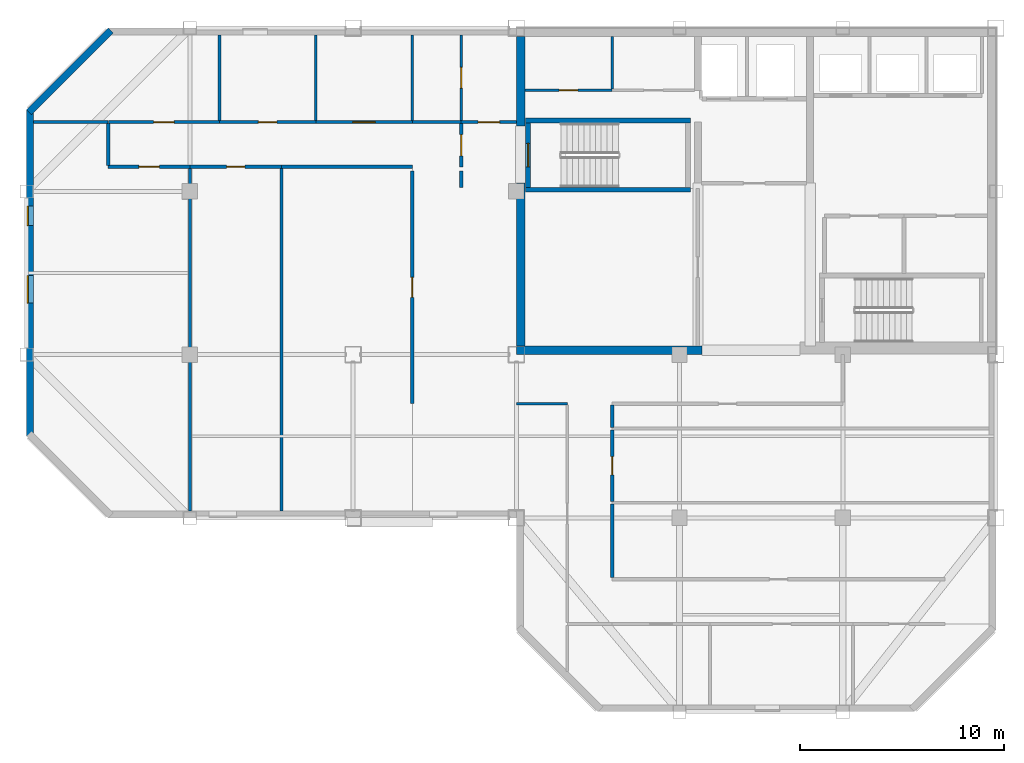
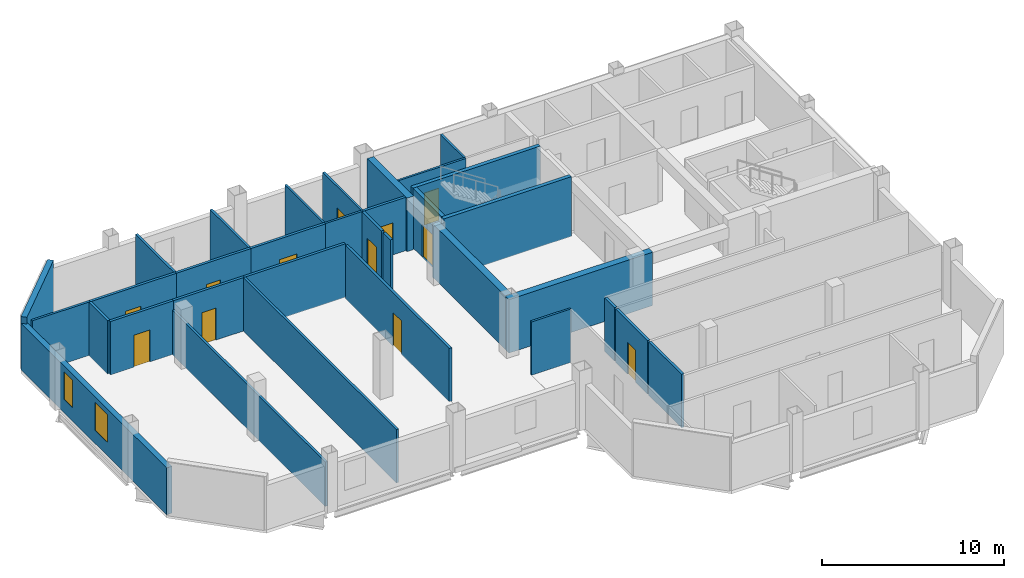
# One storey, part 2 of 7: 33 walls, 12 doors, 2 windows, 14 openings.
"""IFC4 building model written with IfcOpenShell, lengths in metres."""

from ifc_helpers import new_model, si_unit, direction, frame, frame_2d, origin, place, context, subcontext, project, spatial, rectangle, extrude, material, layer, layer_set, type_object, element, fill, save


model = new_model("IFC4")

# Units and contexts
model_context = context("Model", 3, precision=1e-05, world=origin(), true_north=direction((0.0, 1.0)))
body_context = subcontext(model_context, "Body", "Model", "MODEL_VIEW")
ifc_project = project(units=[si_unit("LENGTHUNIT", "METRE"), si_unit("AREAUNIT", "SQUARE_METRE"), si_unit("VOLUMEUNIT", "CUBIC_METRE"), si_unit("PLANEANGLEUNIT", "RADIAN"), si_unit("MASSUNIT", "GRAM", prefix="KILO")], contexts=[model_context])

# Site, building, storey
site_placement = place(None, origin())
site = spatial("IfcSite", under=ifc_project, at=site_placement, CompositionType="ELEMENT")
building_placement = place(site_placement, origin())
building = spatial("IfcBuilding", under=site, at=building_placement, Name="Qianrong Seaharbour Tower", CompositionType="ELEMENT")
storey_placement = place(building_placement, frame((0.0, 0.0, 363.199951171875)))
storey = spatial("IfcBuildingStorey", under=building, at=storey_placement, Name="L88", CompositionType="ELEMENT", Elevation=363.199951171875)

# Walls
ifc_material_1 = material(Name="Concrete C50/60", Category="concrete")
ifc_layer_1 = layer(ifc_material_1, 0.419921875)
ifc_layer_set_1 = layer_set([ifc_layer_1], Name="Concrete C50/60")
wall_type_1 = type_object("IfcWallType", Name="WALL-CORE-420", PredefinedType="SHEAR", material=ifc_layer_set_1)
wall_1_placement = place(storey_placement, frame((40.7099609375, 36.419921875, 0.0), z_axis=(0.0, 0.0, 1.0), x_axis=(0.0, 1.0, 0.0)))
element("IfcWall", 1, at=wall_1_placement, inside=storey, type_object=wall_type_1, Name="L88 West Core Shear Wall South", PredefinedType="SHEAR", context=body_context, shape_type="SweptSolid", body=[
    extrude(rectangle(XDim=7.97998046875, YDim=0.419921875, at=frame_2d((3.989990234375, 0.0))), origin(), (0.0, 0.0, 1.0), 3.580078125),
])
wall_2_placement = place(storey_placement, frame((40.7099609375, 47.199951171875, 0.0), z_axis=(0.0, 0.0, 1.0), x_axis=(0.0, 1.0, 0.0)))
element("IfcWall", 2, at=wall_2_placement, inside=storey, type_object=wall_type_1, Name="L88 West Core Shear Wall North", PredefinedType="SHEAR", context=body_context, shape_type="SweptSolid", body=[
    extrude(rectangle(XDim=4.380126953125, YDim=0.419921875, at=frame_2d((2.18994140625, 0.0))), origin(), (0.0, 0.0, 1.0), 3.580078125),
])
wall_3_placement = place(storey_placement, frame((40.5, 36.2099609375, 0.0), z_axis=(0.0, 0.0, 1.0), x_axis=(1.0, 0.0, 0.0)))
element("IfcWall", 3, at=wall_3_placement, inside=storey, type_object=wall_type_1, Name="L88 South Core Shear Wall S1", PredefinedType="SHEAR", context=body_context, shape_type="SweptSolid", body=[
    extrude(rectangle(XDim=9.10009765625, YDim=0.419921875, at=frame_2d((4.550048828125, 0.0))), origin(), (0.0, 0.0, 1.0), 3.580078125),
])

# Wall, opening, door
ifc_material_2 = material(Name="Fire-rated acoustic gypsum board partition")
ifc_layer_2 = layer(ifc_material_2, 0.1650390625)
ifc_layer_set_2 = layer_set([ifc_layer_2], Name="Fire-rated acoustic gypsum board partition")
wall_type_2 = type_object("IfcWallType", Name="WALL-CORR-PART-165", PredefinedType="PARTITIONING", material=ifc_layer_set_2)
wall_4_placement = place(storey_placement, frame((37.800048828125, 47.39990234375, 0.0), z_axis=(0.0, 0.0, 1.0), x_axis=(1.0, 0.0, 0.0)))
wall_4 = element("IfcWall", 4, at=wall_4_placement, inside=storey, type_object=wall_type_2, Name="L88 Interior Partition Wall 001", PredefinedType="PARTITIONING", context=body_context, shape_type="SweptSolid", body=[
    extrude(rectangle(XDim=2.699951171875, YDim=0.1650390625, at=frame_2d((1.35009765625, 0.0))), origin(), (0.0, 0.0, 1.0), 3.580078125),
])
opening_1_placement = place(wall_4_placement, frame((0.824951171875, 0.0, 0.0)))
opening_1 = element("IfcOpeningElement", 5, at=opening_1_placement, cuts=wall_4, Name="Opening DC-01", PredefinedType="OPENING", context=body_context, shape_type="SweptSolid", body=[
    extrude(rectangle(XDim=1.050048828125, YDim=2.14990234375, at=frame_2d((0.52490234375, 1.074951171875))), frame((0.0, 0.092529296875, 0.0), z_axis=(0.0, -1.0, 0.0), x_axis=(1.0, 0.0, 0.0)), (0.0, 0.0, 1.0), 0.18505859375),
])
ifc_material_3 = material(Name="Acoustic timber and galvanized steel fire door assembly", Category="steel")
door_type_1 = type_object("IfcDoorType", Name="DOOR-CORR-FD60-1050x2150", OperationType="NOTDEFINED", PredefinedType="DOOR", material=ifc_material_3)
door_1_placement = place(opening_1_placement, origin())
door_1 = element("IfcDoor", 6, at=door_1_placement, inside=storey, type_object=door_type_1, Name="L88 Smokeproof Stair Vestibule ST-1 Door", OperationType="SINGLE_SWING_LEFT", OverallHeight=2.14990234375, OverallWidth=1.050048828125, PredefinedType="DOOR", context=body_context, shape_type="SweptSolid", body=[
    extrude(rectangle(XDim=1.050048828125, YDim=2.14990234375, at=frame_2d((0.52490234375, 1.074951171875))), frame((0.0, 0.02490234375, 0.0), z_axis=(0.0, -1.0, 0.0), x_axis=(1.0, 0.0, 0.0)), (0.0, 0.0, 1.0), 0.050048828125),
])
fill(opening_1, door_1)

wall_5_placement = place(storey_placement, frame((37.800048828125, 45.199951171875, 0.0), z_axis=(0.0, 0.0, 1.0), x_axis=(0.0, 1.0, 0.0)))
wall_5 = element("IfcWall", 7, at=wall_5_placement, inside=storey, type_object=wall_type_2, Name="L88 Interior Partition Wall 002", PredefinedType="PARTITIONING", context=body_context, shape_type="SweptSolid", body=[
    extrude(rectangle(XDim=2.12548828125, YDim=0.1650390625, at=frame_2d((1.062744140625, 0.0))), origin(), (0.0, 0.0, 1.0), 3.580078125),
])
opening_2_placement = place(wall_5_placement, frame((0.537841796875, 0.0, 0.0)))
opening_2 = element("IfcOpeningElement", 8, at=opening_2_placement, cuts=wall_5, Name="Opening DC-01", PredefinedType="OPENING", context=body_context, shape_type="SweptSolid", body=[
    extrude(rectangle(XDim=1.050048828125, YDim=2.14990234375, at=frame_2d((0.52490234375, 1.074951171875))), frame((0.0, 0.092529296875, 0.0), z_axis=(0.0, -1.0, 0.0), x_axis=(1.0, 0.0, 0.0)), (0.0, 0.0, 1.0), 0.18505859375),
])
door_2_placement = place(opening_2_placement, origin())
door_2 = element("IfcDoor", 9, at=door_2_placement, inside=storey, type_object=door_type_1, Name="L88 Smokeproof Stair Vestibule ST-1 Door", OperationType="SINGLE_SWING_RIGHT", OverallHeight=2.14990234375, OverallWidth=1.050048828125, PredefinedType="DOOR", context=body_context, shape_type="SweptSolid", body=[
    extrude(rectangle(XDim=1.050048828125, YDim=2.14990234375, at=frame_2d((0.52490234375, 1.074951171875))), frame((0.0, 0.02490234375, 0.0), z_axis=(0.0, -1.0, 0.0), x_axis=(1.0, 0.0, 0.0)), (0.0, 0.0, 1.0), 0.050048828125),
])
fill(opening_2, door_2)

# Wall
wall_6_placement = place(storey_placement, frame((37.800048828125, 44.199951171875, 0.0), z_axis=(0.0, 0.0, 1.0), x_axis=(0.0, 1.0, 0.0)))
element("IfcWall", 10, at=wall_6_placement, inside=storey, type_object=wall_type_2, Name="L88 Interior Partition Wall 003", PredefinedType="PARTITIONING", context=body_context, shape_type="SweptSolid", body=[
    extrude(rectangle(XDim=0.800048828125, YDim=0.1650390625, at=frame_2d((0.39990234375, 0.0))), origin(), (0.0, 0.0, 1.0), 3.580078125),
])

# Wall, opening, door
wall_7_placement = place(storey_placement, frame((20.5, 47.39990234375, 0.0), z_axis=(0.0, 0.0, 1.0), x_axis=(1.0, 0.0, 0.0)))
wall_7 = element("IfcWall", 11, at=wall_7_placement, inside=storey, type_object=wall_type_2, Name="L88 Interior Partition Wall 016", PredefinedType="PARTITIONING", context=body_context, shape_type="SweptSolid", body=[
    extrude(rectangle(XDim=5.449951171875, YDim=0.1650390625, at=frame_2d((2.72509765625, 0.0))), origin(), (0.0, 0.0, 1.0), 3.580078125),
])
opening_3_placement = place(wall_7_placement, frame((2.22509765625, 0.0, 0.0)))
opening_3 = element("IfcOpeningElement", 12, at=opening_3_placement, cuts=wall_7, Name="Opening DO-01", PredefinedType="OPENING", context=body_context, shape_type="SweptSolid", body=[
    extrude(rectangle(XDim=1.0, YDim=2.14990234375, at=frame_2d((0.5, 1.074951171875))), frame((0.0, 0.092529296875, 0.0), z_axis=(0.0, -1.0, 0.0), x_axis=(1.0, 0.0, 0.0)), (0.0, 0.0, 1.0), 0.18505859375),
])
door_type_2 = type_object("IfcDoorType", Name="DOOR-OFFICE-1000x2150", OperationType="NOTDEFINED", PredefinedType="DOOR", material=ifc_material_3)
door_3_placement = place(opening_3_placement, origin())
door_3 = element("IfcDoor", 13, at=door_3_placement, inside=storey, type_object=door_type_2, Name="L88 Legal Support Open-Plan Office Door", OperationType="SINGLE_SWING_LEFT", OverallHeight=2.14990234375, OverallWidth=1.0, PredefinedType="DOOR", context=body_context, shape_type="SweptSolid", body=[
    extrude(rectangle(XDim=1.0, YDim=2.14990234375, at=frame_2d((0.5, 1.074951171875))), frame((0.0, 0.02490234375, 0.0), z_axis=(0.0, -1.0, 0.0), x_axis=(1.0, 0.0, 0.0)), (0.0, 0.0, 1.0), 0.050048828125),
])
fill(opening_3, door_3)

wall_8_placement = place(storey_placement, frame((25.949951171875, 47.39990234375, 0.0), z_axis=(0.0, 0.0, 1.0), x_axis=(1.0, 0.0, 0.0)))
wall_8 = element("IfcWall", 14, at=wall_8_placement, inside=storey, type_object=wall_type_2, Name="L88 Interior Partition Wall 017", PredefinedType="PARTITIONING", context=body_context, shape_type="SweptSolid", body=[
    extrude(rectangle(XDim=4.719970703125, YDim=0.1650390625, at=frame_2d((2.35986328125, 0.0))), origin(), (0.0, 0.0, 1.0), 3.580078125),
])
opening_4_placement = place(wall_8_placement, frame((1.909912109375, 0.0, 0.0)))
opening_4 = element("IfcOpeningElement", 15, at=opening_4_placement, cuts=wall_8, Name="Opening DS-01", PredefinedType="OPENING", context=body_context, shape_type="SweptSolid", body=[
    extrude(rectangle(XDim=0.89990234375, YDim=2.14990234375, at=frame_2d((0.449951171875, 1.074951171875))), frame((0.0, 0.092529296875, 0.0), z_axis=(0.0, -1.0, 0.0), x_axis=(1.0, 0.0, 0.0)), (0.0, 0.0, 1.0), 0.18505859375),
])
door_type_3 = type_object("IfcDoorType", Name="DOOR-STORE-900x2150", OperationType="NOTDEFINED", PredefinedType="DOOR", material=ifc_material_3)
door_4_placement = place(opening_4_placement, origin())
door_4 = element("IfcDoor", 16, at=door_4_placement, inside=storey, type_object=door_type_3, Name="L88 Corporate Archive Room 1 Door", OperationType="SINGLE_SWING_RIGHT", OverallHeight=2.14990234375, OverallWidth=0.89990234375, PredefinedType="DOOR", context=body_context, shape_type="SweptSolid", body=[
    extrude(rectangle(XDim=0.89990234375, YDim=2.14990234375, at=frame_2d((0.449951171875, 1.074951171875))), frame((0.0, 0.02490234375, 0.0), z_axis=(0.0, -1.0, 0.0), x_axis=(1.0, 0.0, 0.0)), (0.0, 0.0, 1.0), 0.050048828125),
])
fill(opening_4, door_4)

wall_9_placement = place(storey_placement, frame((30.669921875, 47.39990234375, 0.0), z_axis=(0.0, 0.0, 1.0), x_axis=(1.0, 0.0, 0.0)))
wall_9 = element("IfcWall", 17, at=wall_9_placement, inside=storey, type_object=wall_type_2, Name="L88 Interior Partition Wall 018", PredefinedType="PARTITIONING", context=body_context, shape_type="SweptSolid", body=[
    extrude(rectangle(XDim=4.72998046875, YDim=0.1650390625, at=frame_2d((2.364990234375, 0.0))), origin(), (0.0, 0.0, 1.0), 3.580078125),
])
opening_5_placement = place(wall_9_placement, frame((1.81494140625, 0.0, 0.0)))
opening_5 = element("IfcOpeningElement", 18, at=opening_5_placement, cuts=wall_9, Name="Opening DM-01", PredefinedType="OPENING", context=body_context, shape_type="SweptSolid", body=[
    extrude(rectangle(XDim=1.10009765625, YDim=2.199951171875, at=frame_2d((0.550048828125, 1.10009765625))), frame((0.0, 0.092529296875, 0.0), z_axis=(0.0, -1.0, 0.0), x_axis=(1.0, 0.0, 0.0)), (0.0, 0.0, 1.0), 0.18505859375),
])
door_type_4 = type_object("IfcDoorType", Name="DOOR-MEET-1100x2200", OperationType="NOTDEFINED", PredefinedType="DOOR", material=ifc_material_3)
door_5_placement = place(opening_5_placement, origin())
door_5 = element("IfcDoor", 19, at=door_5_placement, inside=storey, type_object=door_type_4, Name="L88 Boardroom 2 Door", OperationType="SINGLE_SWING_LEFT", OverallHeight=2.199951171875, OverallWidth=1.10009765625, PredefinedType="DOOR", context=body_context, shape_type="SweptSolid", body=[
    extrude(rectangle(XDim=1.10009765625, YDim=2.199951171875, at=frame_2d((0.550048828125, 1.10009765625))), frame((0.0, 0.02490234375, 0.0), z_axis=(0.0, -1.0, 0.0), x_axis=(1.0, 0.0, 0.0)), (0.0, 0.0, 1.0), 0.050048828125),
])
fill(opening_5, door_5)

wall_10_placement = place(storey_placement, frame((24.5, 45.199951171875, 0.0), z_axis=(0.0, 0.0, 1.0), x_axis=(-1.0, 0.0, 0.0)))
wall_10 = element("IfcWall", 20, at=wall_10_placement, inside=storey, type_object=wall_type_2, Name="L88 Interior Partition Wall 019", PredefinedType="PARTITIONING", context=body_context, shape_type="SweptSolid", body=[
    extrude(rectangle(XDim=4.0, YDim=0.1650390625, at=frame_2d((2.0, 0.0))), origin(), (0.0, 0.0, 1.0), 3.580078125),
])
opening_6_placement = place(wall_10_placement, frame((1.5, 0.0, 0.0)))
opening_6 = element("IfcOpeningElement", 21, at=opening_6_placement, cuts=wall_10, Name="Opening DO-01", PredefinedType="OPENING", context=body_context, shape_type="SweptSolid", body=[
    extrude(rectangle(XDim=1.0, YDim=2.14990234375, at=frame_2d((0.5, 1.074951171875))), frame((0.0, 0.092529296875, 0.0), z_axis=(0.0, -1.0, 0.0), x_axis=(1.0, 0.0, 0.0)), (0.0, 0.0, 1.0), 0.18505859375),
])
door_6_placement = place(opening_6_placement, origin())
door_6 = element("IfcDoor", 22, at=door_6_placement, inside=storey, type_object=door_type_2, Name="L88 Maritime Tribunal Hearing Hall Door", OperationType="SINGLE_SWING_RIGHT", OverallHeight=2.14990234375, OverallWidth=1.0, PredefinedType="DOOR", context=body_context, shape_type="SweptSolid", body=[
    extrude(rectangle(XDim=1.0, YDim=2.14990234375, at=frame_2d((0.5, 1.074951171875))), frame((0.0, 0.02490234375, 0.0), z_axis=(0.0, -1.0, 0.0), x_axis=(1.0, 0.0, 0.0)), (0.0, 0.0, 1.0), 0.050048828125),
])
fill(opening_6, door_6)

# Wall
wall_11_placement = place(storey_placement, frame((20.5, 45.2744140625, 0.0), z_axis=(0.0, 0.0, 1.0), x_axis=(0.0, 1.0, 0.0)))
element("IfcWall", 23, at=wall_11_placement, inside=storey, type_object=wall_type_2, Name="L88 Interior Partition Wall 020", PredefinedType="PARTITIONING", context=body_context, shape_type="SweptSolid", body=[
    extrude(rectangle(XDim=2.051025390625, YDim=0.1650390625, at=frame_2d((1.025390625, 0.0))), origin(), (0.0, 0.0, 1.0), 3.580078125),
])

# Wall, opening, door
wall_12_placement = place(storey_placement, frame((29.0, 45.199951171875, 0.0), z_axis=(0.0, 0.0, 1.0), x_axis=(-1.0, 0.0, 0.0)))
wall_12 = element("IfcWall", 24, at=wall_12_placement, inside=storey, type_object=wall_type_2, Name="L88 Interior Partition Wall 021", PredefinedType="PARTITIONING", context=body_context, shape_type="SweptSolid", body=[
    extrude(rectangle(XDim=4.5, YDim=0.1650390625, at=frame_2d((2.25, 0.0))), origin(), (0.0, 0.0, 1.0), 3.580078125),
])
opening_7_placement = place(wall_12_placement, frame((1.800048828125, 0.0, 0.0)))
opening_7 = element("IfcOpeningElement", 25, at=opening_7_placement, cuts=wall_12, Name="Opening DS-01", PredefinedType="OPENING", context=body_context, shape_type="SweptSolid", body=[
    extrude(rectangle(XDim=0.89990234375, YDim=2.14990234375, at=frame_2d((0.449951171875, 1.074951171875))), frame((0.0, 0.092529296875, 0.0), z_axis=(0.0, -1.0, 0.0), x_axis=(1.0, 0.0, 0.0)), (0.0, 0.0, 1.0), 0.18505859375),
])
door_7_placement = place(opening_7_placement, origin())
door_7 = element("IfcDoor", 26, at=door_7_placement, inside=storey, type_object=door_type_3, Name="L88 Evidence Vault Store 1 Door", OperationType="SINGLE_SWING_LEFT", OverallHeight=2.14990234375, OverallWidth=0.89990234375, PredefinedType="DOOR", context=body_context, shape_type="SweptSolid", body=[
    extrude(rectangle(XDim=0.89990234375, YDim=2.14990234375, at=frame_2d((0.449951171875, 1.074951171875))), frame((0.0, 0.02490234375, 0.0), z_axis=(0.0, -1.0, 0.0), x_axis=(1.0, 0.0, 0.0)), (0.0, 0.0, 1.0), 0.050048828125),
])
fill(opening_7, door_7)

# Wall
wall_13_placement = place(storey_placement, frame((35.39990234375, 45.199951171875, 0.0), z_axis=(0.0, 0.0, 1.0), x_axis=(-1.0, 0.0, 0.0)))
element("IfcWall", 27, at=wall_13_placement, inside=storey, type_object=wall_type_2, Name="L88 Interior Partition Wall 022", PredefinedType="PARTITIONING", context=body_context, shape_type="SweptSolid", body=[
    extrude(rectangle(XDim=6.39990234375, YDim=0.1650390625, at=frame_2d((3.199951171875, 0.0))), origin(), (0.0, 0.0, 1.0), 3.580078125),
])

# Wall, opening, door
wall_14_placement = place(storey_placement, frame((35.39990234375, 33.60009765625, 0.0), z_axis=(0.0, 0.0, 1.0), x_axis=(0.0, 1.0, 0.0)))
wall_14 = element("IfcWall", 28, at=wall_14_placement, inside=storey, type_object=wall_type_2, Name="L88 Interior Partition Wall 023", PredefinedType="PARTITIONING", context=body_context, shape_type="SweptSolid", body=[
    extrude(rectangle(XDim=11.39990234375, YDim=0.1650390625, at=frame_2d((5.699951171875, 0.0))), origin(), (0.0, 0.0, 1.0), 3.580078125),
])
opening_8_placement = place(wall_14_placement, frame((5.2099609375, 0.0, 0.0)))
opening_8 = element("IfcOpeningElement", 29, at=opening_8_placement, cuts=wall_14, Name="Opening DE-01", PredefinedType="OPENING", context=body_context, shape_type="SweptSolid", body=[
    extrude(rectangle(XDim=0.97998046875, YDim=2.25, at=frame_2d((0.489990234375, 1.125))), frame((0.0, 0.092529296875, 0.0), z_axis=(0.0, -1.0, 0.0), x_axis=(1.0, 0.0, 0.0)), (0.0, 0.0, 1.0), 0.18505859375),
])
door_type_5 = type_object("IfcDoorType", Name="DOOR-EXEC-980x2250", OperationType="NOTDEFINED", PredefinedType="DOOR", material=ifc_material_3)
door_8_placement = place(opening_8_placement, origin())
door_8 = element("IfcDoor", 30, at=door_8_placement, inside=storey, type_object=door_type_5, Name="L88 Partner Chambers Office 2 Door", OperationType="SINGLE_SWING_RIGHT", OverallHeight=2.25, OverallWidth=0.97998046875, PredefinedType="DOOR", context=body_context, shape_type="SweptSolid", body=[
    extrude(rectangle(XDim=0.97998046875, YDim=2.25, at=frame_2d((0.489990234375, 1.125))), frame((0.0, 0.02490234375, 0.0), z_axis=(0.0, -1.0, 0.0), x_axis=(1.0, 0.0, 0.0)), (0.0, 0.0, 1.0), 0.050048828125),
])
fill(opening_8, door_8)

# Wall
wall_15_placement = place(storey_placement, frame((45.199951171875, 28.675537109375, 0.0), z_axis=(0.0, 0.0, 1.0), x_axis=(0.0, -1.0, 0.0)))
element("IfcWall", 31, at=wall_15_placement, inside=storey, type_object=wall_type_2, Name="L88 Interior Partition Wall 027", PredefinedType="PARTITIONING", context=body_context, shape_type="SweptSolid", body=[
    extrude(rectangle(XDim=3.60107421875, YDim=0.1650390625, at=frame_2d((1.800537109375, 0.0))), origin(), (0.0, 0.0, 1.0), 3.580078125),
])

# Wall, opening, door
wall_16_placement = place(storey_placement, frame((45.199951171875, 32.305419921875, 0.0), z_axis=(0.0, 0.0, 1.0), x_axis=(0.0, -1.0, 0.0)))
wall_16 = element("IfcWall", 32, at=wall_16_placement, inside=storey, type_object=wall_type_2, Name="L88 Interior Partition Wall 028", PredefinedType="PARTITIONING", context=body_context, shape_type="SweptSolid", body=[
    extrude(rectangle(XDim=3.5009765625, YDim=0.1650390625, at=frame_2d((1.75048828125, 0.0))), origin(), (0.0, 0.0, 1.0), 3.580078125),
])
opening_9_placement = place(wall_16_placement, frame((1.300537109375, 0.0, 0.0)))
opening_9 = element("IfcOpeningElement", 33, at=opening_9_placement, cuts=wall_16, Name="Opening DS-01", PredefinedType="OPENING", context=body_context, shape_type="SweptSolid", body=[
    extrude(rectangle(XDim=0.89990234375, YDim=2.14990234375, at=frame_2d((0.449951171875, 1.074951171875))), frame((0.0, 0.092529296875, 0.0), z_axis=(0.0, -1.0, 0.0), x_axis=(1.0, 0.0, 0.0)), (0.0, 0.0, 1.0), 0.18505859375),
])
door_9_placement = place(opening_9_placement, origin())
door_9 = element("IfcDoor", 34, at=door_9_placement, inside=storey, type_object=door_type_3, Name="L88 Closed File Store 2 Door", OperationType="SINGLE_SWING_RIGHT", OverallHeight=2.14990234375, OverallWidth=0.89990234375, PredefinedType="DOOR", context=body_context, shape_type="SweptSolid", body=[
    extrude(rectangle(XDim=0.89990234375, YDim=2.14990234375, at=frame_2d((0.449951171875, 1.074951171875))), frame((0.0, 0.02490234375, 0.0), z_axis=(0.0, -1.0, 0.0), x_axis=(1.0, 0.0, 0.0)), (0.0, 0.0, 1.0), 0.050048828125),
])
fill(opening_9, door_9)

# Wall
wall_17_placement = place(storey_placement, frame((45.199951171875, 33.525390625, 0.0), z_axis=(0.0, 0.0, 1.0), x_axis=(0.0, -1.0, 0.0)))
element("IfcWall", 35, at=wall_17_placement, inside=storey, type_object=wall_type_2, Name="L88 Interior Partition Wall 029", PredefinedType="PARTITIONING", context=body_context, shape_type="SweptSolid", body=[
    extrude(rectangle(XDim=1.0908203125, YDim=0.1650390625, at=frame_2d((0.54541015625, 0.0))), origin(), (0.0, 0.0, 1.0), 3.580078125),
])

# Wall, openings, windows
ifc_material_4 = material(Name="Unitised buff brick on Precast concrete C45/55", Category="masonry")
ifc_layer_3 = layer(ifc_material_4, 0.340087890625)
ifc_layer_set_3 = layer_set([ifc_layer_3], Name="Unitised buff brick on Precast concrete C45/55")
wall_type_3 = type_object("IfcWallType", Name="WALL-EXT-BRICK-BUFF-340", PredefinedType="SOLIDWALL", material=ifc_layer_set_3)
wall_18_placement = place(storey_placement, frame((16.669921875, 32.0, 0.0), z_axis=(0.0, 0.0, 1.0), x_axis=(0.0, 1.0, 0.0)))
wall_18 = element("IfcWall", 36, at=wall_18_placement, inside=storey, type_object=wall_type_3, Name="L88 Exterior Masonry Facade Wall WEST_TIP", PredefinedType="SOLIDWALL", context=body_context, shape_type="SweptSolid", body=[
    extrude(rectangle(XDim=16.0, YDim=0.340087890625, at=frame_2d((8.0, 0.0))), origin(), (0.0, 0.0, 1.0), 3.130126953125),
])
opening_10_placement = place(wall_18_placement, frame((6.52490234375, 0.0, 0.89990234375)))
opening_10 = element("IfcOpeningElement", 37, at=opening_10_placement, cuts=wall_18, Name="Opening WN-02", PredefinedType="OPENING", context=body_context, shape_type="SweptSolid", body=[
    extrude(rectangle(XDim=1.35009765625, YDim=1.85009765625, at=frame_2d((0.675048828125, 0.925048828125))), frame((0.0, 0.18017578125, 0.0), z_axis=(0.0, -1.0, 0.0), x_axis=(1.0, 0.0, 0.0)), (0.0, 0.0, 1.0), 0.360107421875),
])
opening_11_placement = place(wall_18_placement, frame((10.324951171875, 0.0, 0.89990234375)))
opening_11 = element("IfcOpeningElement", 38, at=opening_11_placement, cuts=wall_18, Name="Opening WN-13", PredefinedType="OPENING", context=body_context, shape_type="SweptSolid", body=[
    extrude(rectangle(XDim=0.949951171875, YDim=1.85009765625, at=frame_2d((0.47509765625, 0.925048828125))), frame((0.0, 0.18017578125, 0.0), z_axis=(0.0, -1.0, 0.0), x_axis=(1.0, 0.0, 0.0)), (0.0, 0.0, 1.0), 0.360107421875),
])
ifc_material_5 = material(Name="Insulated low-e double glazing in thermally broken aluminium 6063-T6 frame", Category="aluminium")
window_type_1 = type_object("IfcWindowType", Name="WIN-NARROW-950x1850", PartitioningType="SINGLE_PANEL", PredefinedType="WINDOW", material=ifc_material_5)
window_1_placement = place(opening_11_placement, origin())
window_1 = element("IfcWindow", 39, at=window_1_placement, inside=storey, type_object=window_type_1, Name="L88 Deep-Set Punched Window 03.03", OverallHeight=1.85009765625, OverallWidth=0.949951171875, PartitioningType="SINGLE_PANEL", PredefinedType="WINDOW", context=body_context, shape_type="SweptSolid", body=[
    extrude(rectangle(XDim=0.949951171875, YDim=1.85009765625, at=frame_2d((0.47509765625, 0.925048828125))), frame((0.0, 0.150146484375, 0.0), z_axis=(0.0, -1.0, 0.0), x_axis=(1.0, 0.0, 0.0)), (0.0, 0.0, 1.0), 0.06005859375),
])
fill(opening_11, window_1)
window_type_2 = type_object("IfcWindowType", Name="WIN-PUNCH-1350x1850", PartitioningType="DOUBLE_PANEL_VERTICAL", PredefinedType="WINDOW", material=ifc_material_5)
window_2_placement = place(opening_10_placement, origin())
window_2 = element("IfcWindow", 40, at=window_2_placement, inside=storey, type_object=window_type_2, Name="L88 Deep-Set Punched Window 03.02", OverallHeight=1.85009765625, OverallWidth=1.35009765625, PartitioningType="DOUBLE_PANEL_VERTICAL", PredefinedType="WINDOW", context=body_context, shape_type="SweptSolid", body=[
    extrude(rectangle(XDim=1.35009765625, YDim=1.85009765625, at=frame_2d((0.675048828125, 0.925048828125))), frame((0.0, 0.150146484375, 0.0), z_axis=(0.0, -1.0, 0.0), x_axis=(1.0, 0.0, 0.0)), (0.0, 0.0, 1.0), 0.06005859375),
])
fill(opening_10, window_2)

# Walls
wall_19_placement = place(storey_placement, frame((16.6201171875, 47.8798828125, 0.0), z_axis=(0.0, 0.0, 1.0), x_axis=(0.707106781187, 0.707106781187, 0.0)))
element("IfcWall", 41, at=wall_19_placement, inside=storey, type_object=wall_type_3, Name="L88 Exterior Masonry Facade Wall E04", PredefinedType="SOLIDWALL", context=body_context, shape_type="SweptSolid", body=[
    extrude(rectangle(XDim=5.65673828125, YDim=0.340087890625, at=frame_2d((2.828369140625, 0.0))), origin(), (0.0, 0.0, 1.0), 3.580078125),
])
ifc_material_6 = material(Name="Acoustic gypsum board stud partition")
ifc_layer_4 = layer(ifc_material_6, 0.14501953125)
ifc_layer_set_4 = layer_set([ifc_layer_4], Name="Acoustic gypsum board stud partition")
wall_type_4 = type_object("IfcWallType", Name="WALL-OFFICE-PART-145", PredefinedType="PARTITIONING", material=ifc_layer_set_4)
wall_20_placement = place(storey_placement, frame((25.949951171875, 51.66796875, 0.0), z_axis=(0.0, 0.0, 1.0), x_axis=(0.0, -1.0, 0.0)))
element("IfcWall", 42, at=wall_20_placement, inside=storey, type_object=wall_type_4, Name="L88 Interior Partition Wall 036", PredefinedType="PARTITIONING", context=body_context, shape_type="SweptSolid", body=[
    extrude(rectangle(XDim=4.193359375, YDim=0.14501953125, at=frame_2d((2.0966796875, 0.0))), origin(), (0.0, 0.0, 1.0), 3.580078125),
])
wall_21_placement = place(storey_placement, frame((20.5, 47.39990234375, 0.0), z_axis=(0.0, 0.0, 1.0), x_axis=(-1.0, 0.0, 0.0)))
element("IfcWall", 43, at=wall_21_placement, inside=storey, type_object=wall_type_4, Name="L88 Interior Partition Wall 037", PredefinedType="PARTITIONING", context=body_context, shape_type="SweptSolid", body=[
    extrude(rectangle(XDim=3.66796875, YDim=0.14501953125, at=frame_2d((1.833984375, 0.0))), origin(), (0.0, 0.0, 1.0), 3.580078125),
])
wall_22_placement = place(storey_placement, frame((30.669921875, 51.66796875, 0.0), z_axis=(0.0, 0.0, 1.0), x_axis=(0.0, -1.0, 0.0)))
element("IfcWall", 44, at=wall_22_placement, inside=storey, type_object=wall_type_4, Name="L88 Interior Partition Wall 038", PredefinedType="PARTITIONING", context=body_context, shape_type="SweptSolid", body=[
    extrude(rectangle(XDim=4.193359375, YDim=0.14501953125, at=frame_2d((2.0966796875, 0.0))), origin(), (0.0, 0.0, 1.0), 3.580078125),
])
wall_23_placement = place(storey_placement, frame((24.5, 45.12548828125, 0.0), z_axis=(0.0, 0.0, 1.0), x_axis=(0.0, -1.0, 0.0)))
element("IfcWall", 45, at=wall_23_placement, inside=storey, type_object=wall_type_4, Name="L88 Interior Partition Wall 039", PredefinedType="PARTITIONING", context=body_context, shape_type="SweptSolid", body=[
    extrude(rectangle(XDim=16.79345703125, YDim=0.14501953125, at=frame_2d((8.396728515625, 0.0))), origin(), (0.0, 0.0, 1.0), 2.97216796875),
])
wall_24_placement = place(storey_placement, frame((29.0, 45.12548828125, 0.0), z_axis=(0.0, 0.0, 1.0), x_axis=(0.0, -1.0, 0.0)))
element("IfcWall", 46, at=wall_24_placement, inside=storey, type_object=wall_type_4, Name="L88 Interior Partition Wall 040", PredefinedType="PARTITIONING", context=body_context, shape_type="SweptSolid", body=[
    extrude(rectangle(XDim=16.79345703125, YDim=0.14501953125, at=frame_2d((8.396728515625, 0.0))), origin(), (0.0, 0.0, 1.0), 3.580078125),
])
ifc_layer_5 = layer(ifc_material_1, 0.239990234375)
ifc_layer_set_5 = layer_set([ifc_layer_5], Name="Concrete C50/60")
wall_type_5 = type_object("IfcWallType", Name="WALL-SHAFT-RC240", PredefinedType="SOLIDWALL", material=ifc_layer_set_5)
for number, where, z_axis, x_axis, name in (
    (47, (40.9599609375, 47.469970703125, 0.0), (0.0, 0.0, 1.0), (1.0, 0.0, 0.0), "L88 ST-1 Structural Stair Core Wall N"),
    (48, (49.0400390625, 44.080078125, 0.0), (0.0, 0.0, 1.0), (-1.0, 0.0, 0.0), "L88 ST-1 Structural Stair Core Wall S"),
):
    element("IfcWall", number, at=place(storey_placement, frame(where, z_axis=z_axis, x_axis=x_axis)), inside=storey, type_object=wall_type_5, Name=name, PredefinedType="SOLIDWALL", context=body_context, shape_type="SweptSolid", body=[
        extrude(rectangle(XDim=8.080078125, YDim=0.239990234375, at=frame_2d((4.0400390625, 0.0))), origin(), (0.0, 0.0, 1.0), 4.0),
    ])

# Wall, opening, door
wall_25_placement = place(storey_placement, frame((41.080078125, 47.35009765625, 0.0), z_axis=(0.0, 0.0, 1.0), x_axis=(0.0, -1.0, 0.0)))
wall_25 = element("IfcWall", 49, at=wall_25_placement, inside=storey, type_object=wall_type_5, Name="L88 ST-1 Structural Stair Core Wall W", PredefinedType="SOLIDWALL", context=body_context, shape_type="SweptSolid", body=[
    extrude(rectangle(XDim=3.150146484375, YDim=0.239990234375, at=frame_2d((1.5751953125, 0.0))), origin(), (0.0, 0.0, 1.0), 4.0),
])
opening_12_placement = place(wall_25_placement, frame((1.0, 0.0, 0.0)))
opening_12 = element("IfcOpeningElement", 50, at=opening_12_placement, cuts=wall_25, Name="Opening SD-01", PredefinedType="OPENING", context=body_context, shape_type="SweptSolid", body=[
    extrude(rectangle(XDim=1.14990234375, YDim=2.199951171875, at=frame_2d((0.574951171875, 1.10009765625))), frame((0.0, 0.1298828125, 0.0), z_axis=(0.0, -1.0, 0.0), x_axis=(1.0, 0.0, 0.0)), (0.0, 0.0, 1.0), 0.260009765625),
])
door_type_6 = type_object("IfcDoorType", Name="DOOR-STAIR-FD60-1150x2200", OperationType="NOTDEFINED", PredefinedType="DOOR", material=ifc_material_3)
door_10_placement = place(opening_12_placement, origin())
door_10 = element("IfcDoor", 51, at=door_10_placement, inside=storey, type_object=door_type_6, Name="L88 ST-1 Protected Stair Door", OperationType="SINGLE_SWING_LEFT", OverallHeight=2.199951171875, OverallWidth=1.14990234375, PredefinedType="DOOR", context=body_context, shape_type="SweptSolid", body=[
    extrude(rectangle(XDim=1.14990234375, YDim=2.199951171875, at=frame_2d((0.574951171875, 1.10009765625))), frame((0.0, 0.02490234375, 0.0), z_axis=(0.0, -1.0, 0.0), x_axis=(1.0, 0.0, 0.0)), (0.0, 0.0, 1.0), 0.050048828125),
])
fill(opening_12, door_10)

ifc_material_7 = material(Name="Water-resistant cement board sanitary partition")
ifc_layer_6 = layer(ifc_material_7, 0.1298828125)
ifc_layer_set_6 = layer_set([ifc_layer_6], Name="Water-resistant cement board sanitary partition")
wall_type_6 = type_object("IfcWallType", Name="WALL-WET-PART-130", PredefinedType="PARTITIONING", material=ifc_layer_set_6)
wall_26_placement = place(storey_placement, frame((37.800048828125, 47.474609375, 0.0), z_axis=(0.0, 0.0, 1.0), x_axis=(0.0, 1.0, 0.0)))
wall_26 = element("IfcWall", 52, at=wall_26_placement, inside=storey, type_object=wall_type_6, Name="L88 Interior Partition Wall 004", PredefinedType="PARTITIONING", context=body_context, shape_type="SweptSolid", body=[
    extrude(rectangle(XDim=4.193359375, YDim=0.1298828125, at=frame_2d((2.0966796875, 0.0))), origin(), (0.0, 0.0, 1.0), 3.580078125),
])
opening_13_placement = place(wall_26_placement, frame((1.5869140625, 0.0, 0.0)))
opening_13 = element("IfcOpeningElement", 53, at=opening_13_placement, cuts=wall_26, Name="Opening DAW-01", PredefinedType="OPENING", context=body_context, shape_type="SweptSolid", body=[
    extrude(rectangle(XDim=1.02001953125, YDim=2.14990234375, at=frame_2d((0.510009765625, 1.074951171875))), frame((0.0, 0.074951171875, 0.0), z_axis=(0.0, -1.0, 0.0), x_axis=(1.0, 0.0, 0.0)), (0.0, 0.0, 1.0), 0.14990234375),
])
door_type_7 = type_object("IfcDoorType", Name="DOOR-AWC-SLIDE-1020x2150", OperationType="SLIDING_TO_LEFT", PredefinedType="DOOR", material=ifc_material_3)
door_11_placement = place(opening_13_placement, origin())
door_11 = element("IfcDoor", 54, at=door_11_placement, inside=storey, type_object=door_type_7, Name="L88 Accessible Restroom WC Door", OperationType="SLIDING_TO_LEFT", OverallHeight=2.14990234375, OverallWidth=1.02001953125, PredefinedType="DOOR", context=body_context, shape_type="SweptSolid", body=[
    extrude(rectangle(XDim=1.02001953125, YDim=2.14990234375, at=frame_2d((0.510009765625, 1.074951171875))), frame((0.0, 0.02490234375, 0.0), z_axis=(0.0, -1.0, 0.0), x_axis=(1.0, 0.0, 0.0)), (0.0, 0.0, 1.0), 0.050048828125),
])
fill(opening_13, door_11)

# Walls
wall_27_placement = place(storey_placement, frame((37.800048828125, 47.39990234375, 0.0), z_axis=(0.0, 0.0, 1.0), x_axis=(-1.0, 0.0, 0.0)))
element("IfcWall", 55, at=wall_27_placement, inside=storey, type_object=wall_type_6, Name="L88 Interior Partition Wall 005", PredefinedType="PARTITIONING", context=body_context, shape_type="SweptSolid", body=[
    extrude(rectangle(XDim=2.400146484375, YDim=0.1298828125, at=frame_2d((1.2001953125, 0.0))), origin(), (0.0, 0.0, 1.0), 3.580078125),
])
wall_28_placement = place(storey_placement, frame((35.39990234375, 47.474609375, 0.0), z_axis=(0.0, 0.0, 1.0), x_axis=(0.0, 1.0, 0.0)))
element("IfcWall", 56, at=wall_28_placement, inside=storey, type_object=wall_type_6, Name="L88 Interior Partition Wall 006", PredefinedType="PARTITIONING", context=body_context, shape_type="SweptSolid", body=[
    extrude(rectangle(XDim=4.193359375, YDim=0.1298828125, at=frame_2d((2.0966796875, 0.0))), origin(), (0.0, 0.0, 1.0), 3.580078125),
])

# Wall, opening, door
wall_29_placement = place(storey_placement, frame((40.919921875, 48.949951171875, 0.0), z_axis=(0.0, 0.0, 1.0), x_axis=(1.0, 0.0, 0.0)))
wall_29 = element("IfcWall", 57, at=wall_29_placement, inside=storey, type_object=wall_type_6, Name="L88 Interior Partition Wall 007", PredefinedType="PARTITIONING", context=body_context, shape_type="SweptSolid", body=[
    extrude(rectangle(XDim=4.280029296875, YDim=0.1298828125, at=frame_2d((2.14013671875, 0.0))), origin(), (0.0, 0.0, 1.0), 3.580078125),
])
opening_14_placement = place(wall_29_placement, frame((1.679931640625, 0.0, 0.0)))
opening_14 = element("IfcOpeningElement", 58, at=opening_14_placement, cuts=wall_29, Name="Opening DW-01", PredefinedType="OPENING", context=body_context, shape_type="SweptSolid", body=[
    extrude(rectangle(XDim=0.919921875, YDim=2.14990234375, at=frame_2d((0.4599609375, 1.074951171875))), frame((0.0, 0.074951171875, 0.0), z_axis=(0.0, -1.0, 0.0), x_axis=(1.0, 0.0, 0.0)), (0.0, 0.0, 1.0), 0.14990234375),
])
door_type_8 = type_object("IfcDoorType", Name="DOOR-WC-920x2150", OperationType="NOTDEFINED", PredefinedType="DOOR", material=ifc_material_3)
door_12_placement = place(opening_14_placement, origin())
door_12 = element("IfcDoor", 59, at=door_12_placement, inside=storey, type_object=door_type_8, Name="L88 Male Restroom WC Door", OperationType="SINGLE_SWING_RIGHT", OverallHeight=2.14990234375, OverallWidth=0.919921875, PredefinedType="DOOR", context=body_context, shape_type="SweptSolid", body=[
    extrude(rectangle(XDim=0.919921875, YDim=2.14990234375, at=frame_2d((0.4599609375, 1.074951171875))), frame((0.0, 0.02490234375, 0.0), z_axis=(0.0, -1.0, 0.0), x_axis=(1.0, 0.0, 0.0)), (0.0, 0.0, 1.0), 0.050048828125),
])
fill(opening_14, door_12)

# Walls
wall_30_placement = place(storey_placement, frame((45.199951171875, 51.580078125, 0.0), z_axis=(0.0, 0.0, 1.0), x_axis=(0.0, -1.0, 0.0)))
element("IfcWall", 60, at=wall_30_placement, inside=storey, type_object=wall_type_6, Name="L88 Interior Partition Wall 014", PredefinedType="PARTITIONING", context=body_context, shape_type="SweptSolid", body=[
    extrude(rectangle(XDim=2.572998046875, YDim=0.1298828125, at=frame_2d((1.28662109375, 0.0))), origin(), (0.0, 0.0, 1.0), 3.580078125),
])
wall_31_placement = place(storey_placement, frame((43.0, 33.60009765625, 0.0), z_axis=(0.0, 0.0, 1.0), x_axis=(-1.0, 0.0, 0.0)))
element("IfcWall", 61, at=wall_31_placement, inside=storey, type_object=wall_type_6, Name="L88 Interior Partition Wall 026", PredefinedType="PARTITIONING", context=body_context, shape_type="SweptSolid", body=[
    extrude(rectangle(XDim=2.5, YDim=0.1298828125, at=frame_2d((1.25, 0.0))), origin(), (0.0, 0.0, 1.0), 3.580078125),
])

save(model, "model.ifc")
